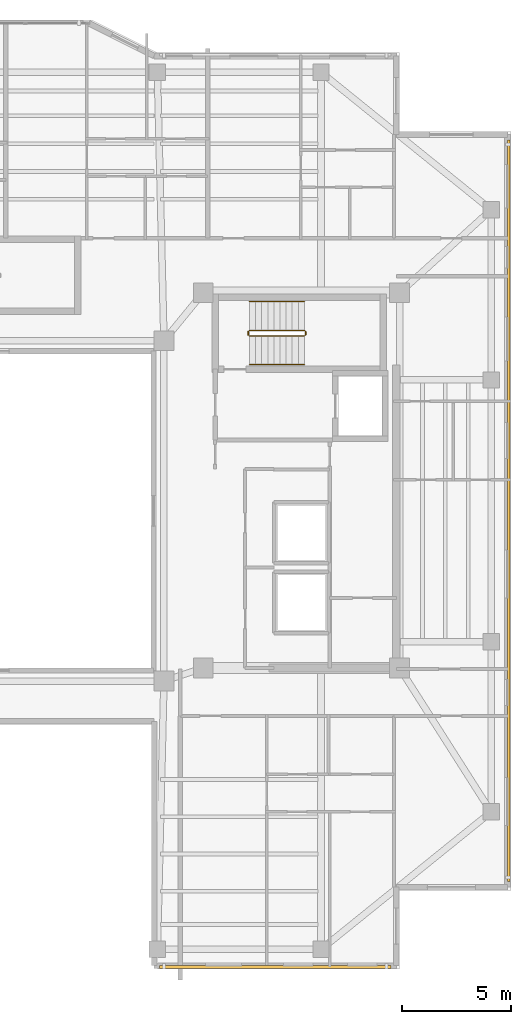
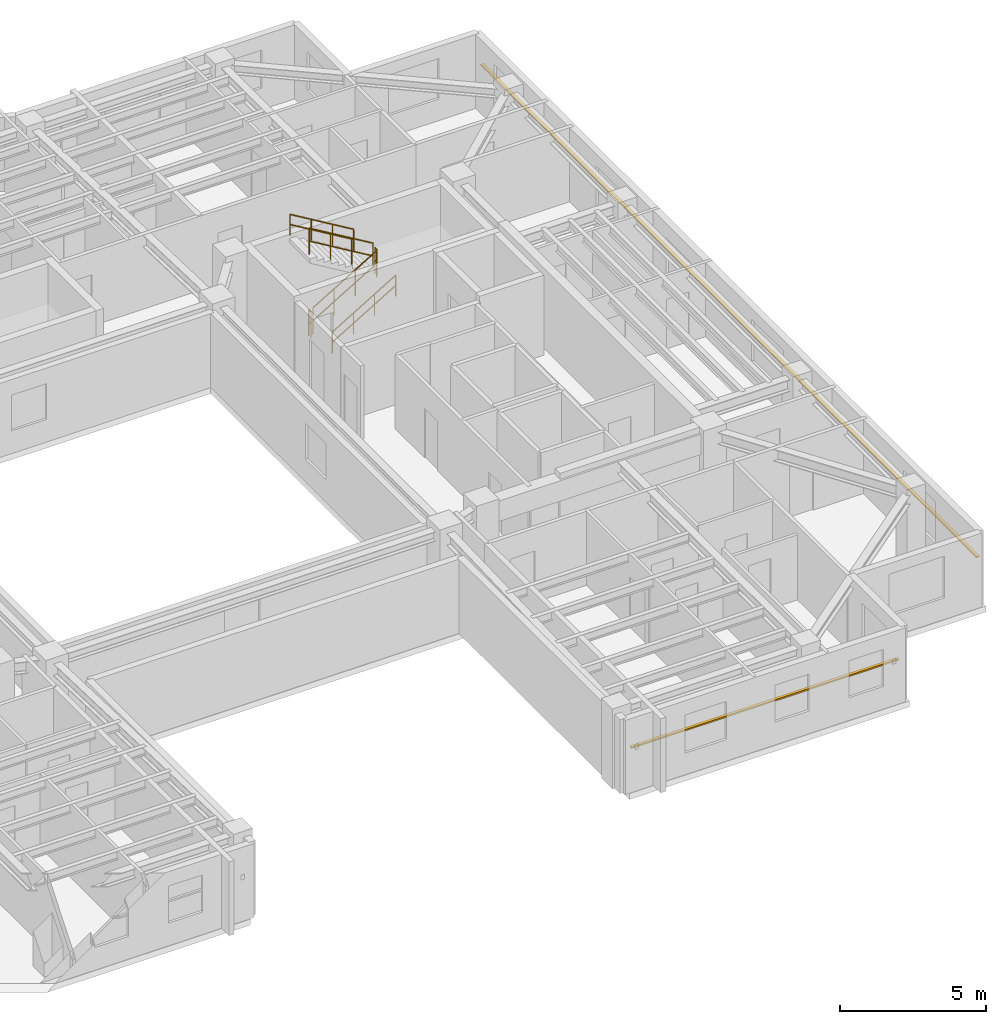
# One storey, part 11 of 12: 6 railings, 2 shading devices.
"""IFC4 building model written with IfcOpenShell, lengths in metres."""

import ifcopenshell
import ifcopenshell.guid

model = None  # the IFC model being written
_history = None  # IfcOwnerHistory: only IFC2X3 demands one
_inside = {}  # id of a spatial element -> (the spatial element, [elements in it])
_under = {}  # id of a project, library or spatial element -> (it, [spatial elements below it])
_declared = {}  # id of a project -> (the project, [libraries it declares])
_typed = {}  # id of a type object -> (the type object, [elements of that type])
_made_of = {}  # id of a material, layer set ... -> (it, [elements and type objects made of it])


def new_model(schema):
    """Start an empty IFC model of exactly this schema.

    Asked for "IFC4X3", IfcOpenShell would pick the latest addendum, in which some entities
    have other attributes; the version numbers below select the first issue.
    IFC2X3 requires an IfcOwnerHistory on every rooted entity: one is made here for all.
    """
    global model, _history
    if schema == "IFC4X3":
        model = ifcopenshell.file(schema_version=(4, 3, 0, 0))
    else:
        model = ifcopenshell.file(schema=schema)
    _inside.clear()
    _under.clear()
    _declared.clear()
    _typed.clear()
    _made_of.clear()
    _history = None
    if model.schema == "IFC2X3":
        org = make("IfcOrganization", Name="unknown")
        user = make(
            "IfcPersonAndOrganization",
            ThePerson=make("IfcPerson", FamilyName="unknown"),
            TheOrganization=org,
        )
        app = make(
            "IfcApplication",
            ApplicationDeveloper=org,
            Version="unknown",
            ApplicationFullName="unknown",
            ApplicationIdentifier="unknown",
        )
        _history = make(
            "IfcOwnerHistory",
            OwningUser=user,
            OwningApplication=app,
            ChangeAction="ADDED",
            CreationDate=0,
        )
    return model


def make(cls, **values):
    """One entity of the class cls with the attributes given. An attribute that is None is left unset."""
    return model.create_entity(
        cls, **{name: value for name, value in values.items() if value is not None}
    )


def rooted(cls, **values):
    """An entity with a GlobalId (a new one), such as an element, a storey or a relation."""
    return make(cls, GlobalId=ifcopenshell.guid.new(), OwnerHistory=_history, **values)


def si_unit(unit_type, name, prefix=None):
    """IfcSIUnit, for example si_unit("LENGTHUNIT", "METRE", prefix="MILLI")."""
    return make("IfcSIUnit", UnitType=unit_type, Prefix=prefix, Name=name)


def assignment(units):
    """IfcUnitAssignment: the units of a project."""
    return None if units is None else make("IfcUnitAssignment", Units=units)


def point(xyz):
    """IfcCartesianPoint."""
    return None if xyz is None else make("IfcCartesianPoint", Coordinates=xyz)


def direction(xyz):
    """IfcDirection."""
    return None if xyz is None else make("IfcDirection", DirectionRatios=xyz)


def frame(location, z_axis=None, x_axis=None):
    """IfcAxis2Placement3D, a coordinate frame: its origin and axes. An axis left out is left unset."""
    return make(
        "IfcAxis2Placement3D",
        Location=point(location),
        Axis=direction(z_axis),
        RefDirection=direction(x_axis),
    )


def frame_2d(location, x_axis=None):
    """IfcAxis2Placement2D, a coordinate frame in the plane: its origin and x axis."""
    return make(
        "IfcAxis2Placement2D", Location=point(location), RefDirection=direction(x_axis)
    )


def origin():
    """The frame at (0, 0, 0) with its axes left unset."""
    return frame((0.0, 0.0, 0.0))


def origin_2d():
    """The frame at (0, 0) in the plane with its x axis left unset."""
    return frame_2d((0.0, 0.0))


def place(relative_to, where):
    """IfcLocalPlacement: puts the frame where relative to a parent placement (None: the world)."""
    return make(
        "IfcLocalPlacement", PlacementRelTo=relative_to, RelativePlacement=where
    )


def context(
    kind, dimensions, precision=None, world=None, true_north=None, identifier=None
):
    """IfcGeometricRepresentationContext, for example the 3D "Model" context."""
    return make(
        "IfcGeometricRepresentationContext",
        ContextIdentifier=identifier,
        ContextType=kind,
        CoordinateSpaceDimension=dimensions,
        Precision=precision,
        WorldCoordinateSystem=world,
        TrueNorth=true_north,
    )


def subcontext(parent, identifier, kind, view, scale=None):
    """IfcGeometricRepresentationSubContext, for example "Body" below "Model"."""
    return make(
        "IfcGeometricRepresentationSubContext",
        ContextIdentifier=identifier,
        ContextType=kind,
        ParentContext=parent,
        TargetScale=scale,
        TargetView=view,
    )


def project(units=None, contexts=None):
    """IfcProject with its units and contexts."""
    return rooted(
        "IfcProject",
        Name="project",
        RepresentationContexts=contexts,
        UnitsInContext=assignment(units),
    )


def spatial(cls, under=None, at=None, **own):
    """A site, building, storey or space (cls), placed at a placement, below another one or the project."""
    s = rooted(cls, ObjectPlacement=at, **own)
    if under is not None:
        _under.setdefault(under.id(), (under, []))[1].append(s)
    return s


def profile(cls, at=None, kind="AREA", **sizes):
    """A parametric profile (cls). Its sizes go by their IFC names, for example OverallWidth=200.0."""
    return make(cls, ProfileType=kind, Position=at, **sizes)


def rectangle(**sizes):
    """IfcRectangleProfileDef."""
    return profile("IfcRectangleProfileDef", **sizes)


def circle(**sizes):
    """IfcCircleProfileDef."""
    return profile("IfcCircleProfileDef", **sizes)


def extrude(swept, where, along, depth):
    """IfcExtrudedAreaSolid: the profile swept, set in the frame where, extruded along a direction by depth."""
    return make(
        "IfcExtrudedAreaSolid",
        SweptArea=swept,
        Position=where,
        ExtrudedDirection=direction(along),
        Depth=depth,
    )


def shape(context_of_items, identifier, shape_type, items):
    """IfcShapeRepresentation: the items that make up one representation, for example the "Body"."""
    return make(
        "IfcShapeRepresentation",
        ContextOfItems=context_of_items,
        RepresentationIdentifier=identifier,
        RepresentationType=shape_type,
        Items=items,
    )


def material(Name=None, Category=None):
    """IfcMaterial."""
    return make("IfcMaterial", Name=Name, Category=Category)


def material_profile(
    of_material, cross_section, Name=None, Category=None, Priority=None
):
    """IfcMaterialProfile: a cross section and its material."""
    return make(
        "IfcMaterialProfile",
        Name=Name,
        Material=of_material,
        Profile=cross_section,
        Priority=Priority,
        Category=Category,
    )


def profile_set(profiles, Name=None, composite=None):
    """IfcMaterialProfileSet."""
    return make(
        "IfcMaterialProfileSet",
        Name=Name,
        MaterialProfiles=profiles,
        CompositeProfile=composite,
    )


def made_of(thing, what):
    """Note that an element or type object is made of a material, layer set ...; save() writes the relation."""
    if what is not None:
        _made_of.setdefault(what.id(), (what, []))[1].append(thing)
    return thing


def type_object(cls, material=None, **own):
    """A type object (cls), such as IfcWallType, which elements share."""
    return made_of(rooted(cls, **own), material)


def element(
    cls,
    number,
    at=None,
    inside=None,
    cuts=None,
    type_object=None,
    material=None,
    context=None,
    identifier="Body",
    shape_type=None,
    held_by="IfcProductDefinitionShape",
    body=None,
    shapes=None,
    **own,
):
    """One element of the class cls, such as IfcWall. Its Tag is "e" and its number.

    at: its placement. inside: the storey or other place that contains it. cuts: it is an
    opening in that element (IfcRelVoidsElement). A single representation is given by context,
    identifier, shape_type and body (its items); several are given by shapes. held_by: the class
    of the entity that holds the representations. save() writes the other relations.
    """
    e = rooted(cls, Tag="e%d" % number, ObjectPlacement=at, **own)
    if body is not None:
        shapes = [shape(context, identifier, shape_type, body)]
    if shapes is not None:
        e.Representation = make(held_by, Representations=shapes)
    if inside is not None:
        _inside.setdefault(inside.id(), (inside, []))[1].append(e)
    if cuts is not None:
        rooted(
            "IfcRelVoidsElement", RelatingBuildingElement=cuts, RelatedOpeningElement=e
        )
    if type_object is not None:
        _typed.setdefault(type_object.id(), (type_object, []))[1].append(e)
    return made_of(e, material)


def aggregate(whole, parts):
    """IfcRelAggregates: a whole, such as a stair, and the parts it consists of."""
    return rooted("IfcRelAggregates", RelatingObject=whole, RelatedObjects=parts)


def save(model, path):
    """Write the relations noted so far, then the file.

    IfcRelAggregates (storeys below a building ...), IfcRelContainedInSpatialStructure (elements
    in a storey), IfcRelDefinesByType, IfcRelAssociatesMaterial and IfcRelDeclares: one each for
    every whole, place, type object, material and project.
    """
    for whole, parts in _under.values():
        aggregate(whole, parts)
    for where, things in _inside.values():
        rooted(
            "IfcRelContainedInSpatialStructure",
            RelatedElements=things,
            RelatingStructure=where,
        )
    for kind, things in _typed.values():
        rooted("IfcRelDefinesByType", RelatedObjects=things, RelatingType=kind)
    for what, things in _made_of.values():
        rooted("IfcRelAssociatesMaterial", RelatedObjects=things, RelatingMaterial=what)
    for by, libraries in _declared.values():
        rooted("IfcRelDeclares", RelatingContext=by, RelatedDefinitions=libraries)
    model.write(path)


model = new_model("IFC4")

# Units and contexts
model_context = context("Model", 3, precision=1e-05, world=origin(), true_north=direction((0.0, 1.0)))
body_context = subcontext(model_context, "Body", "Model", "MODEL_VIEW")
ifc_project = project(units=[si_unit("LENGTHUNIT", "METRE"), si_unit("AREAUNIT", "SQUARE_METRE"), si_unit("VOLUMEUNIT", "CUBIC_METRE"), si_unit("PLANEANGLEUNIT", "RADIAN"), si_unit("MASSUNIT", "GRAM", prefix="KILO")], contexts=[model_context])

# Site, building, storey
site_placement = place(None, origin())
site = spatial("IfcSite", under=ifc_project, at=site_placement, CompositionType="ELEMENT")
building_placement = place(site_placement, origin())
building = spatial("IfcBuilding", under=site, at=building_placement, Name="Tarnavaz Court Tower", CompositionType="ELEMENT")
storey_placement = place(building_placement, frame((0.0, 0.0, 203.64990234375)))
storey = spatial("IfcBuildingStorey", under=building, at=storey_placement, Name="L55", CompositionType="ELEMENT", Elevation=203.64990234375)

# Railings
ifc_material_1 = material(Name="Brushed Stainless Steel", Category="steel")
railing_type_1 = type_object("IfcRailingType", Name="RL-HANDRAIL-900", PredefinedType="HANDRAIL", material=ifc_material_1)
railing_1_placement = place(storey_placement, frame((11.719970703125, 6.699951171875, 0.16748046875)))
element("IfcRailing", 1, at=railing_1_placement, inside=storey, type_object=railing_type_1, Name="L55 ST-E1 stair handrail 1", PredefinedType="HANDRAIL", context=body_context, shape_type="SweptSolid", body=[
    extrude(circle(Radius=0.02392578125, at=origin_2d()), frame((0.0, 0.0, 0.8759765625), z_axis=(0.858159760407, 0.0, 0.513382728203), x_axis=(0.0, 1.0, 0.0)), (0.0, 0.0, 1.0), 2.9365234375),
    extrude(circle(Radius=0.02392578125, at=origin_2d()), frame((0.0, 0.0, 0.449951171875), z_axis=(0.858159760407, 0.0, 0.513382728203), x_axis=(0.0, 1.0, 0.0)), (0.0, 0.0, 1.0), 2.9365234375),
    extrude(circle(Radius=0.02099609375, at=origin_2d()), origin(), (0.0, 0.0, 1.0), 0.851806640625),
    extrude(circle(Radius=0.02099609375, at=origin_2d()), frame((0.840087890625, 0.0, 0.50244140625)), (0.0, 0.0, 1.0), 0.851806640625),
    extrude(circle(Radius=0.02099609375, at=origin_2d()), frame((1.679931640625, 0.0, 1.005126953125)), (0.0, 0.0, 1.0), 0.851806640625),
    extrude(circle(Radius=0.02099609375, at=origin_2d()), frame((2.52001953125, 0.0, 1.507568359375)), (0.0, 0.0, 1.0), 0.851806640625),
])
railing_2_placement = place(storey_placement, frame((14.239990234375, 9.590087890625, 1.842529296875)))
element("IfcRailing", 2, at=railing_2_placement, inside=storey, type_object=railing_type_1, Name="L55 ST-E1 stair handrail 2", PredefinedType="HANDRAIL", context=body_context, shape_type="SweptSolid", body=[
    extrude(circle(Radius=0.02392578125, at=origin_2d()), frame((0.0, 0.0, 0.8759765625), z_axis=(-0.858159760407, 0.0, 0.513382728203), x_axis=(0.0, -1.0, 0.0)), (0.0, 0.0, 1.0), 2.9365234375),
    extrude(circle(Radius=0.02392578125, at=origin_2d()), frame((0.0, 0.0, 0.449951171875), z_axis=(-0.858159760407, 0.0, 0.513382728203), x_axis=(0.0, -1.0, 0.0)), (0.0, 0.0, 1.0), 2.9365234375),
    extrude(circle(Radius=0.02099609375, at=origin_2d()), origin(), (0.0, 0.0, 1.0), 0.851806640625),
    extrude(circle(Radius=0.02099609375, at=origin_2d()), frame((-0.840087890625, 0.0, 0.50244140625)), (0.0, 0.0, 1.0), 0.851806640625),
    extrude(circle(Radius=0.02099609375, at=origin_2d()), frame((-1.679931640625, 0.0, 1.005126953125)), (0.0, 0.0, 1.0), 0.851806640625),
    extrude(circle(Radius=0.02099609375, at=origin_2d()), frame((-2.52001953125, 0.0, 1.507568359375)), (0.0, 0.0, 1.0), 0.851806640625),
])
ifc_material_2 = material(Name="Galvanized Painted Tubular Steel", Category="steel")
railing_type_2 = type_object("IfcRailingType", Name="RL-STGUARD-1120", PredefinedType="GUARDRAIL", material=ifc_material_2)
railing_3_placement = place(storey_placement, frame((11.719970703125, 8.02001953125, 0.16748046875)))
element("IfcRailing", 3, at=railing_3_placement, inside=storey, type_object=railing_type_2, Name="L55 ST-E1 stair guard 1", PredefinedType="GUARDRAIL", context=body_context, shape_type="SweptSolid", body=[
    extrude(circle(Radius=0.02392578125, at=origin_2d()), frame((0.0, 0.0, 1.09619140625), z_axis=(0.858159760407, 0.0, 0.513382728203), x_axis=(0.0, 1.0, 0.0)), (0.0, 0.0, 1.0), 2.9365234375),
    extrude(circle(Radius=0.02392578125, at=origin_2d()), frame((0.0, 0.0, 0.56005859375), z_axis=(0.858159760407, 0.0, 0.513382728203), x_axis=(0.0, 1.0, 0.0)), (0.0, 0.0, 1.0), 2.9365234375),
    extrude(circle(Radius=0.02099609375, at=origin_2d()), origin(), (0.0, 0.0, 1.0), 1.072021484375),
    extrude(circle(Radius=0.02099609375, at=origin_2d()), frame((0.840087890625, 0.0, 0.50244140625)), (0.0, 0.0, 1.0), 1.072021484375),
    extrude(circle(Radius=0.02099609375, at=origin_2d()), frame((1.679931640625, 0.0, 1.005126953125)), (0.0, 0.0, 1.0), 1.072021484375),
    extrude(circle(Radius=0.02099609375, at=origin_2d()), frame((2.52001953125, 0.0, 1.507568359375)), (0.0, 0.0, 1.0), 1.072021484375),
])
railing_4_placement = place(storey_placement, frame((14.2900390625, 8.070068359375, 1.675048828125)))
element("IfcRailing", 4, at=railing_4_placement, inside=storey, type_object=railing_type_2, Name="L55 ST-E1 stair guard 2", PredefinedType="GUARDRAIL", context=body_context, shape_type="SweptSolid", body=[
    extrude(circle(Radius=0.02392578125, at=origin_2d()), frame((0.0, 0.0, 1.09619140625), z_axis=(0.0, 1.0, 0.0), x_axis=(-1.0, 0.0, 0.0)), (0.0, 0.0, 1.0), 0.14990234375),
    extrude(circle(Radius=0.02392578125, at=origin_2d()), frame((0.0, 0.0, 0.56005859375), z_axis=(0.0, 1.0, 0.0), x_axis=(-1.0, 0.0, 0.0)), (0.0, 0.0, 1.0), 0.14990234375),
    extrude(circle(Radius=0.02099609375, at=origin_2d()), origin(), (0.0, 0.0, 1.0), 1.072021484375),
    extrude(circle(Radius=0.02099609375, at=origin_2d()), frame((0.0, 0.14990234375, 0.0)), (0.0, 0.0, 1.0), 1.072021484375),
])
railing_5_placement = place(storey_placement, frame((14.239990234375, 8.27001953125, 1.842529296875)))
element("IfcRailing", 5, at=railing_5_placement, inside=storey, type_object=railing_type_2, Name="L55 ST-E1 stair guard 3", PredefinedType="GUARDRAIL", context=body_context, shape_type="SweptSolid", body=[
    extrude(circle(Radius=0.02392578125, at=origin_2d()), frame((0.0, 0.0, 1.09619140625), z_axis=(-0.858159760407, 0.0, 0.513382728203), x_axis=(0.0, -1.0, 0.0)), (0.0, 0.0, 1.0), 2.9365234375),
    extrude(circle(Radius=0.02392578125, at=origin_2d()), frame((0.0, 0.0, 0.56005859375), z_axis=(-0.858159760407, 0.0, 0.513382728203), x_axis=(0.0, -1.0, 0.0)), (0.0, 0.0, 1.0), 2.9365234375),
    extrude(circle(Radius=0.02099609375, at=origin_2d()), origin(), (0.0, 0.0, 1.0), 1.072021484375),
    extrude(circle(Radius=0.02099609375, at=origin_2d()), frame((-0.840087890625, 0.0, 0.50244140625)), (0.0, 0.0, 1.0), 1.072021484375),
    extrude(circle(Radius=0.02099609375, at=origin_2d()), frame((-1.679931640625, 0.0, 1.005126953125)), (0.0, 0.0, 1.0), 1.072021484375),
    extrude(circle(Radius=0.02099609375, at=origin_2d()), frame((-2.52001953125, 0.0, 1.507568359375)), (0.0, 0.0, 1.0), 1.072021484375),
])
railing_6_placement = place(storey_placement, frame((11.669921875, 8.070068359375, 0.0)))
element("IfcRailing", 6, at=railing_6_placement, inside=storey, type_object=railing_type_2, Name="L55 ST-E1 stair guard 4", PredefinedType="GUARDRAIL", context=body_context, shape_type="SweptSolid", body=[
    extrude(circle(Radius=0.02392578125, at=origin_2d()), frame((0.0, 0.0, 1.09619140625), z_axis=(0.0, 1.0, 0.0), x_axis=(-1.0, 0.0, 0.0)), (0.0, 0.0, 1.0), 0.14990234375),
    extrude(circle(Radius=0.02392578125, at=origin_2d()), frame((0.0, 0.0, 0.56005859375), z_axis=(0.0, 1.0, 0.0), x_axis=(-1.0, 0.0, 0.0)), (0.0, 0.0, 1.0), 0.14990234375),
    extrude(circle(Radius=0.02099609375, at=origin_2d()), origin(), (0.0, 0.0, 1.0), 1.072021484375),
    extrude(circle(Radius=0.02099609375, at=origin_2d()), frame((0.0, 0.14990234375, 0.0)), (0.0, 0.0, 1.0), 1.072021484375),
])

# Shading devices
ifc_material_3 = material(Name="Kiln-Fired Khorasan Terracotta Ceramic", Category="masonry")
ifc_material_profile = material_profile(ifc_material_3, rectangle(XDim=0.1201171875, YDim=0.06005859375, at=origin_2d()), Name="TC BAGUETTE 120X60")
ifc_profile_set = profile_set([ifc_material_profile], Name="Kiln-Fired Khorasan Terracotta Ceramic")
shading_device_type = type_object("IfcShadingDeviceType", Name="SD-BAG-120", PredefinedType="USERDEFINED", material=ifc_profile_set)
shading_device_1_placement = place(storey_placement, frame((23.610107421875, 17.0, 1.85009765625), z_axis=(0.0, -1.0, 0.0), x_axis=(1.0, 0.0, 0.0)))
element("IfcShadingDevice", 7, at=shading_device_1_placement, inside=storey, type_object=shading_device_type, Name="L55 Terracotta Baguette Screen FBG12", ObjectType="BAGUETTE", PredefinedType="USERDEFINED", context=body_context, shape_type="SweptSolid", body=[
    extrude(rectangle(XDim=0.1201171875, YDim=0.06005859375, at=origin_2d()), origin(), (0.0, 0.0, 1.0), 34.0),
])
shading_device_2_placement = place(storey_placement, frame((18.199951171875, -20.909912109375, 1.85009765625), z_axis=(-1.0, 0.0, 0.0), x_axis=(0.0, -1.0, 0.0)))
element("IfcShadingDevice", 8, at=shading_device_2_placement, inside=storey, type_object=shading_device_type, Name="L55 Terracotta Baguette Screen FBG15", ObjectType="BAGUETTE", PredefinedType="USERDEFINED", context=body_context, shape_type="SweptSolid", body=[
    extrude(rectangle(XDim=0.1201171875, YDim=0.06005859375, at=origin_2d()), origin(), (0.0, 0.0, 1.0), 10.599853515625),
])

save(model, "model.ifc")
